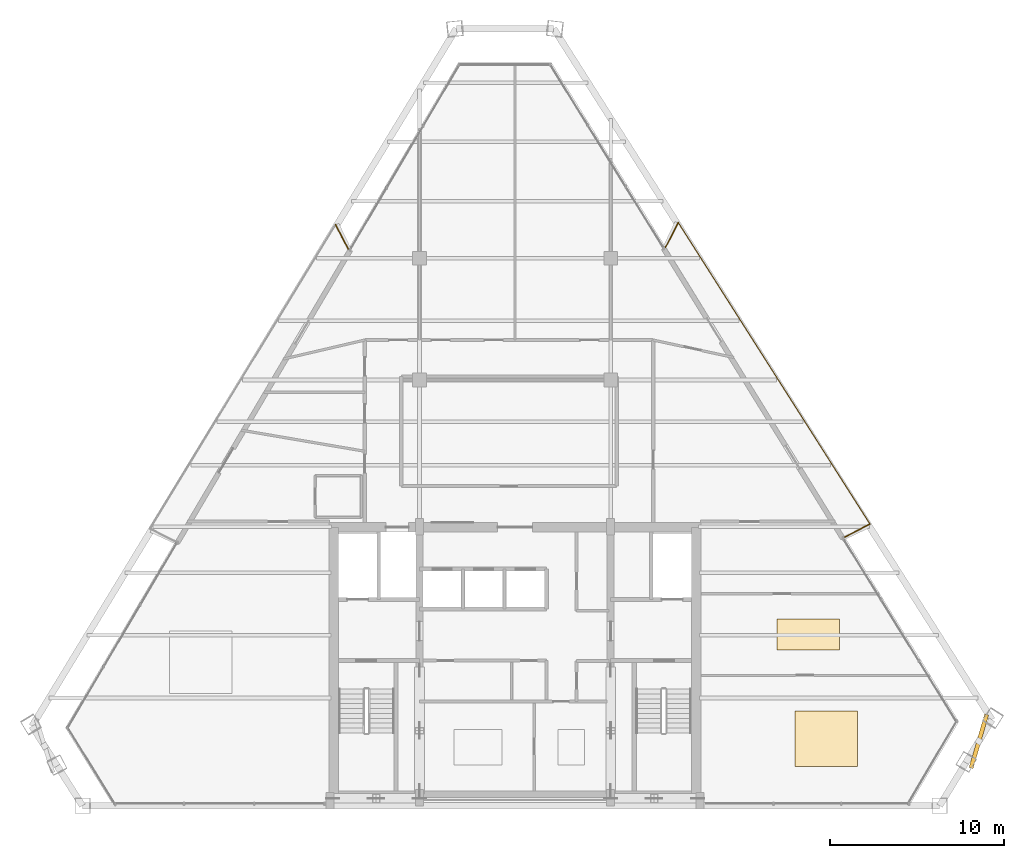
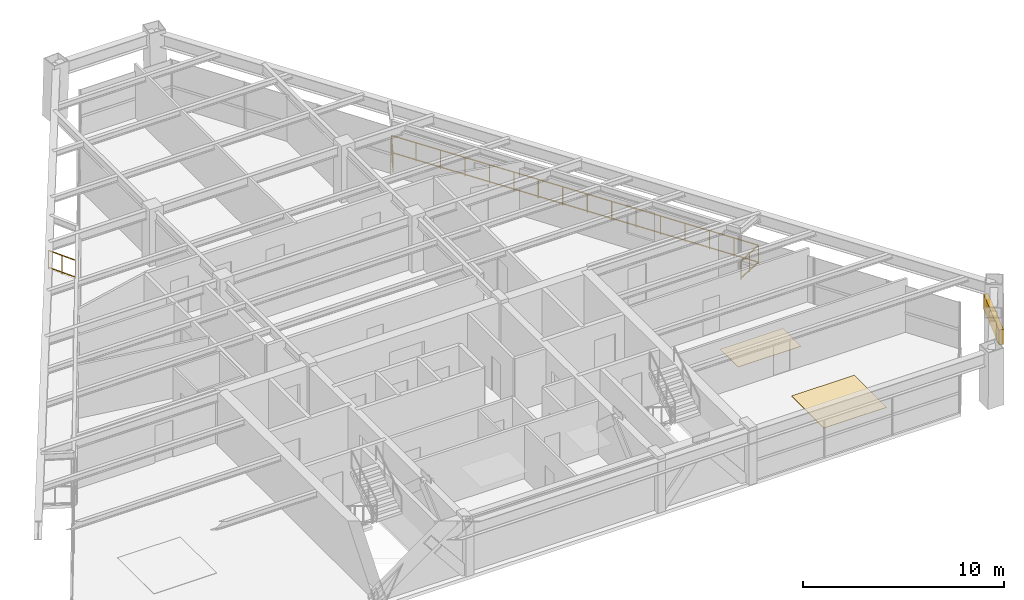
# One storey, part 13 of 13: 4 railings, 2 coverings, 1 shading device.
"""IFC4 building model written with IfcOpenShell, lengths in metres."""

from ifc_helpers import new_model, si_unit, direction, frame, origin, origin_2d, place, context, subcontext, project, spatial, rectangle, extrude, source, transform, mapped, material, layer, layer_set, type_object, type_shapes, element, save


model = new_model("IFC4")

# Units and contexts
model_context = context("Model", 3, precision=1e-05, world=origin(), true_north=direction((0.0, 1.0)))
body_context = subcontext(model_context, "Body", "Model", "MODEL_VIEW")
ifc_project = project(units=[si_unit("LENGTHUNIT", "METRE"), si_unit("AREAUNIT", "SQUARE_METRE"), si_unit("VOLUMEUNIT", "CUBIC_METRE"), si_unit("PLANEANGLEUNIT", "RADIAN"), si_unit("MASSUNIT", "GRAM", prefix="KILO")], contexts=[model_context])

# Site, building, storey
site_placement = place(None, origin())
site = spatial("IfcSite", under=ifc_project, at=site_placement, CompositionType="ELEMENT")
building_placement = place(site_placement, origin())
building = spatial("IfcBuilding", under=site, at=building_placement, Name="Varnakhor Terracotta Tower", CompositionType="ELEMENT")
storey_placement = place(building_placement, frame((0.0, 0.0, 237.25)))
storey = spatial("IfcBuildingStorey", under=building, at=storey_placement, Name="L61", CompositionType="ELEMENT", Elevation=237.25)

# Railings
ifc_material_1 = material(Name="Stainless Steel & Laminated Glass Guardrail", Category="steel")
railing_type = type_object("IfcRailingType", Name="RLG-LOGGIA-GUARD-1150", PredefinedType="GUARDRAIL", material=ifc_material_1)
railing_1_placement = place(storey_placement, frame((8.663818359375, 32.1455078125, 0.0)))
element("IfcRailing", 1, at=railing_1_placement, inside=storey, type_object=railing_type, Name="L61 E Loggia Glass Guard 1", PredefinedType="GUARDRAIL", context=body_context, shape_type="SweptSolid", body=[
    extrude(rectangle(XDim=0.048095703125, YDim=0.048095703125, at=origin_2d()), frame((0.0, 0.0, 1.1259765625), z_axis=(0.459644406283, 0.888103045695, 0.0), x_axis=(-0.888103045695, 0.459644406283, 0.0)), (0.0, 0.0, 1.0), 1.589111328125),
    extrude(rectangle(XDim=0.048095703125, YDim=0.048095703125, at=origin_2d()), frame((0.0, 0.0, 0.10009765625), z_axis=(0.459644406283, 0.888103045695, 0.0), x_axis=(-0.888103045695, 0.459644406283, 0.0)), (0.0, 0.0, 1.0), 1.589111328125),
    extrude(rectangle(XDim=0.0419921875, YDim=0.0419921875, at=origin_2d()), origin(), (0.0, 0.0, 1.0), 1.101806640625),
    extrude(rectangle(XDim=0.0419921875, YDim=0.0419921875, at=origin_2d()), frame((0.365234375, 0.70556640625, 0.0)), (0.0, 0.0, 1.0), 1.101806640625),
    extrude(rectangle(XDim=0.0419921875, YDim=0.0419921875, at=origin_2d()), frame((0.73046875, 1.411376953125, 0.0)), (0.0, 0.0, 1.0), 1.101806640625),
])
railing_2_placement = place(storey_placement, frame((9.394287109375, 33.556884765625, 0.0)))
element("IfcRailing", 2, at=railing_2_placement, inside=storey, type_object=railing_type, Name="L61 E Loggia Glass Guard 2", PredefinedType="GUARDRAIL", context=body_context, shape_type="SweptSolid", body=[
    extrude(rectangle(XDim=0.048095703125, YDim=0.048095703125, at=origin_2d()), frame((0.0, 0.0, 1.1259765625), z_axis=(0.53655802212, -0.843863430241, 0.0), x_axis=(0.843863430241, 0.53655802212, 0.0)), (0.0, 0.0, 1.0), 20.553466796875),
    extrude(rectangle(XDim=0.048095703125, YDim=0.048095703125, at=origin_2d()), frame((0.0, 0.0, 0.10009765625), z_axis=(0.53655802212, -0.843863430241, 0.0), x_axis=(0.843863430241, 0.53655802212, 0.0)), (0.0, 0.0, 1.0), 20.553466796875),
    extrude(rectangle(XDim=0.0419921875, YDim=0.0419921875, at=origin_2d()), origin(), (0.0, 0.0, 1.0), 1.101806640625),
    extrude(rectangle(XDim=0.0419921875, YDim=0.0419921875, at=origin_2d()), frame((0.735107421875, -1.15625, 0.0)), (0.0, 0.0, 1.0), 1.101806640625),
    extrude(rectangle(XDim=0.0419921875, YDim=0.0419921875, at=origin_2d()), frame((1.470458984375, -2.3125, 0.0)), (0.0, 0.0, 1.0), 1.101806640625),
    extrude(rectangle(XDim=0.0419921875, YDim=0.0419921875, at=origin_2d()), frame((2.20556640625, -3.46875, 0.0)), (0.0, 0.0, 1.0), 1.101806640625),
    extrude(rectangle(XDim=0.0419921875, YDim=0.0419921875, at=origin_2d()), frame((2.94091796875, -4.625244140625, 0.0)), (0.0, 0.0, 1.0), 1.101806640625),
    extrude(rectangle(XDim=0.0419921875, YDim=0.0419921875, at=origin_2d()), frame((3.676025390625, -5.781494140625, 0.0)), (0.0, 0.0, 1.0), 1.101806640625),
    extrude(rectangle(XDim=0.0419921875, YDim=0.0419921875, at=origin_2d()), frame((4.4111328125, -6.937744140625, 0.0)), (0.0, 0.0, 1.0), 1.101806640625),
    extrude(rectangle(XDim=0.0419921875, YDim=0.0419921875, at=origin_2d()), frame((5.146484375, -8.093994140625, 0.0)), (0.0, 0.0, 1.0), 1.101806640625),
    extrude(rectangle(XDim=0.0419921875, YDim=0.0419921875, at=origin_2d()), frame((5.881591796875, -9.250244140625, 0.0)), (0.0, 0.0, 1.0), 1.101806640625),
    extrude(rectangle(XDim=0.0419921875, YDim=0.0419921875, at=origin_2d()), frame((6.616943359375, -10.406494140625, 0.0)), (0.0, 0.0, 1.0), 1.101806640625),
    extrude(rectangle(XDim=0.0419921875, YDim=0.0419921875, at=origin_2d()), frame((7.35205078125, -11.562744140625, 0.0)), (0.0, 0.0, 1.0), 1.101806640625),
    extrude(rectangle(XDim=0.0419921875, YDim=0.0419921875, at=origin_2d()), frame((8.087158203125, -12.718994140625, 0.0)), (0.0, 0.0, 1.0), 1.101806640625),
    extrude(rectangle(XDim=0.0419921875, YDim=0.0419921875, at=origin_2d()), frame((8.822509765625, -13.87548828125, 0.0)), (0.0, 0.0, 1.0), 1.101806640625),
    extrude(rectangle(XDim=0.0419921875, YDim=0.0419921875, at=origin_2d()), frame((9.5576171875, -15.03173828125, 0.0)), (0.0, 0.0, 1.0), 1.101806640625),
    extrude(rectangle(XDim=0.0419921875, YDim=0.0419921875, at=origin_2d()), frame((10.29296875, -16.18798828125, 0.0)), (0.0, 0.0, 1.0), 1.101806640625),
    extrude(rectangle(XDim=0.0419921875, YDim=0.0419921875, at=origin_2d()), frame((11.028076171875, -17.34423828125, 0.0)), (0.0, 0.0, 1.0), 1.101806640625),
])
railing_3_placement = place(storey_placement, frame((20.42236328125, 16.212646484375, 0.0)))
element("IfcRailing", 3, at=railing_3_placement, inside=storey, type_object=railing_type, Name="L61 E Loggia Glass Guard 3", PredefinedType="GUARDRAIL", context=body_context, shape_type="SweptSolid", body=[
    extrude(rectangle(XDim=0.048095703125, YDim=0.048095703125, at=origin_2d()), frame((0.0, 0.0, 1.1259765625), z_axis=(-0.886801391171, -0.462150725, 0.0), x_axis=(0.462150725, -0.886801391171, 0.0)), (0.0, 0.0, 1.0), 1.627685546875),
    extrude(rectangle(XDim=0.048095703125, YDim=0.048095703125, at=origin_2d()), frame((0.0, 0.0, 0.10009765625), z_axis=(-0.886801391171, -0.462150725, 0.0), x_axis=(0.462150725, -0.886801391171, 0.0)), (0.0, 0.0, 1.0), 1.627685546875),
    extrude(rectangle(XDim=0.0419921875, YDim=0.0419921875, at=origin_2d()), origin(), (0.0, 0.0, 1.0), 1.101806640625),
    extrude(rectangle(XDim=0.0419921875, YDim=0.0419921875, at=origin_2d()), frame((-0.7216796875, -0.3759765625, 0.0)), (0.0, 0.0, 1.0), 1.101806640625),
    extrude(rectangle(XDim=0.0419921875, YDim=0.0419921875, at=origin_2d()), frame((-1.443359375, -0.752197265625, 0.0)), (0.0, 0.0, 1.0), 1.101806640625),
])
railing_4_placement = place(storey_placement, frame((-10.335205078125, 33.453857421875, 0.0)))
element("IfcRailing", 4, at=railing_4_placement, inside=storey, type_object=railing_type, Name="L61 W Loggia Glass Guard 3", PredefinedType="GUARDRAIL", context=body_context, shape_type="SweptSolid", body=[
    extrude(rectangle(XDim=0.048095703125, YDim=0.048095703125, at=origin_2d()), frame((0.0, 0.0, 1.1259765625), z_axis=(0.462660684198, -0.886535442775, 0.0), x_axis=(0.886535442775, 0.462660684198, 0.0)), (0.0, 0.0, 1.0), 1.586181640625),
    extrude(rectangle(XDim=0.048095703125, YDim=0.048095703125, at=origin_2d()), frame((0.0, 0.0, 0.10009765625), z_axis=(0.462660684198, -0.886535442775, 0.0), x_axis=(0.886535442775, 0.462660684198, 0.0)), (0.0, 0.0, 1.0), 1.586181640625),
    extrude(rectangle(XDim=0.0419921875, YDim=0.0419921875, at=origin_2d()), origin(), (0.0, 0.0, 1.0), 1.101806640625),
    extrude(rectangle(XDim=0.0419921875, YDim=0.0419921875, at=origin_2d()), frame((0.366943359375, -0.703125, 0.0)), (0.0, 0.0, 1.0), 1.101806640625),
    extrude(rectangle(XDim=0.0419921875, YDim=0.0419921875, at=origin_2d()), frame((0.73388671875, -1.40625, 0.0)), (0.0, 0.0, 1.0), 1.101806640625),
])

# Shading device
ifc_material_2 = material(Name="Extruded Architectural Terracotta Screen", Category="masonry")
shading_device_type = type_object("IfcShadingDeviceType", Name="TERRACOTTA SOLAR SCREEN E", PredefinedType="USERDEFINED", material=ifc_material_2)
shared_shape_1 = source(origin(), body_context, "Body", "SweptSolid", [
    extrude(rectangle(XDim=3.199951171875, YDim=0.239990234375, at=origin_2d()), origin(), (0.0, 0.0, 1.0), 0.919921875),
])
type_shapes(shading_device_type, [shared_shape_1])
shading_device_placement = place(storey_placement, frame((26.693115234375, 3.712646484375, 1.56201171875), z_axis=(0.0, 0.0, 1.0), x_axis=(0.28083422227, 0.959756291775, 0.0)))
element("IfcShadingDevice", 5, at=shading_device_placement, inside=storey, type_object=shading_device_type, Name="L61 E Terracotta Solar Screen", ObjectType="SCREEN", PredefinedType="USERDEFINED", context=body_context, shape_type="MappedRepresentation", body=[
    mapped(shared_shape_1, transform((0.0, 0.0, 0.0), scale=1.0)),
])

# Coverings
ifc_material_3 = material(Name="Honed Riyadh Limestone Flooring", Category="masonry")
ifc_layer = layer(ifc_material_3, 0.030029296875, Name="Honed Riyadh Limestone Flooring")
ifc_layer_set = layer_set([ifc_layer], Name="Honed Riyadh Limestone Flooring")
covering_type = type_object("IfcCoveringType", Name="COV-FLOOR-LIMESTONE", PredefinedType="FLOORING", material=ifc_layer_set)
shared_shape_2 = source(origin(), body_context, "Body", "SweptSolid", [
    extrude(rectangle(XDim=3.60009765625, YDim=3.217041015625, at=origin_2d()), origin(), (0.0, 0.0, 1.0), 0.02001953125),
])
covering_1_placement = place(storey_placement, frame((17.9130859375, 3.85400390625, 0.0), z_axis=(0.0, 0.0, 1.0), x_axis=(1.0, 0.0, 0.0)))
element("IfcCovering", 6, at=covering_1_placement, inside=storey, type_object=covering_type, Name="L61 Honed Stone Flooring 3", PredefinedType="FLOORING", context=body_context, shape_type="MappedRepresentation", body=[
    mapped(shared_shape_2, transform((0.0, 0.0, 0.0), scale=1.0)),
])
shared_shape_3 = source(origin(), body_context, "Body", "SweptSolid", [
    extrude(rectangle(XDim=3.60009765625, YDim=1.7919921875, at=origin_2d()), origin(), (0.0, 0.0, 1.0), 0.02001953125),
])
covering_2_placement = place(storey_placement, frame((16.865966796875, 9.85009765625, 0.0), z_axis=(0.0, 0.0, 1.0), x_axis=(1.0, 0.0, 0.0)))
element("IfcCovering", 7, at=covering_2_placement, inside=storey, type_object=covering_type, Name="L61 Honed Stone Flooring 5", PredefinedType="FLOORING", context=body_context, shape_type="MappedRepresentation", body=[
    mapped(shared_shape_3, transform((0.0, 0.0, 0.0), scale=1.0)),
])

save(model, "model.ifc")
